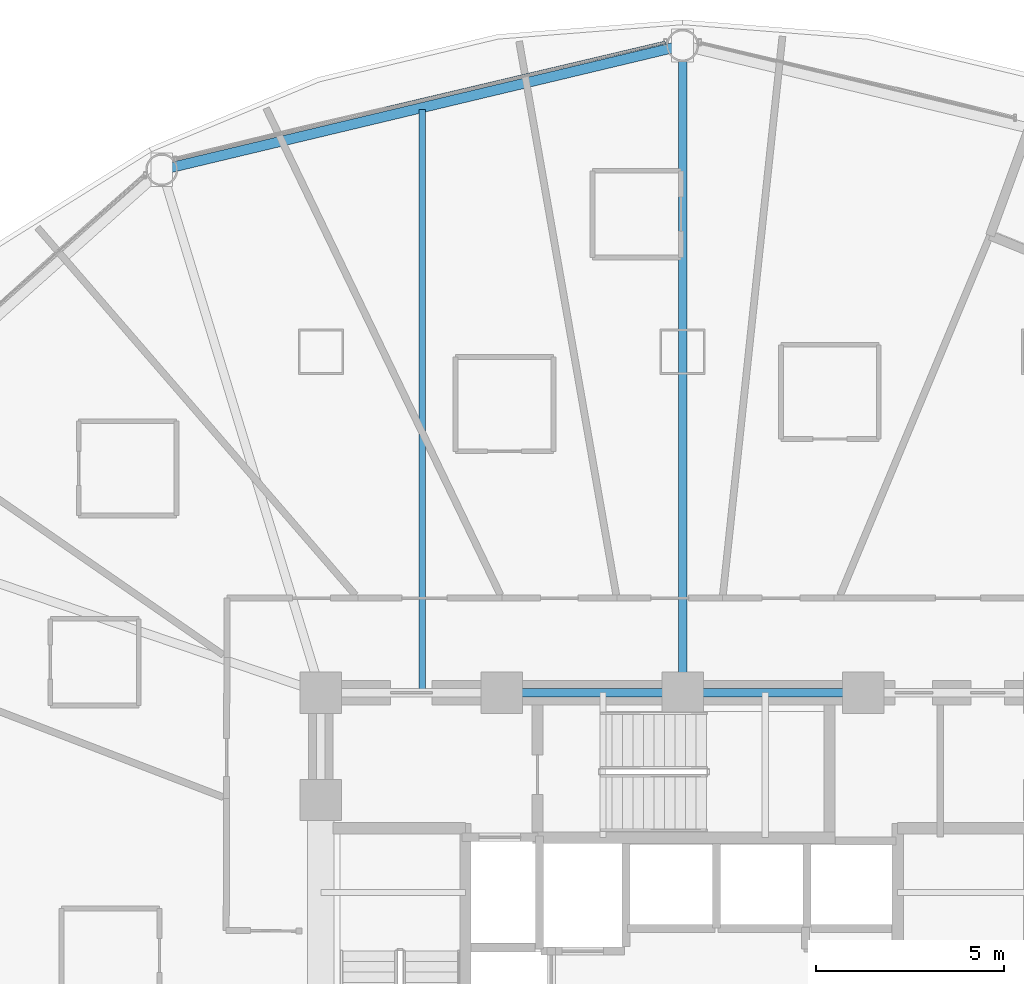
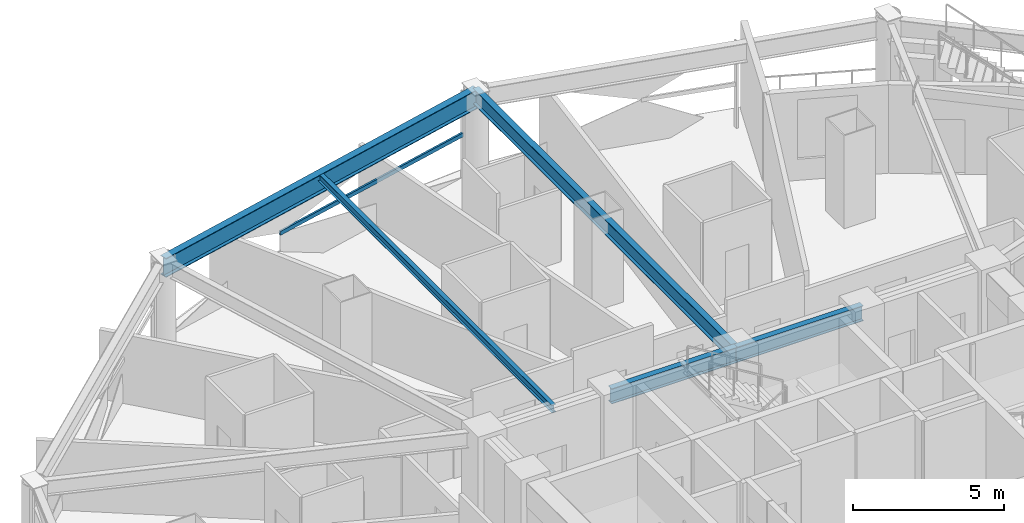
# One storey, part 16 of 33: 5 beams, 1 member, 1 element without a shape of its own.
"""IFC4 building model written with IfcOpenShell, lengths in metres."""

import ifcopenshell
import ifcopenshell.guid

model = None  # the IFC model being written
_history = None  # IfcOwnerHistory: only IFC2X3 demands one
_inside = {}  # id of a spatial element -> (the spatial element, [elements in it])
_under = {}  # id of a project, library or spatial element -> (it, [spatial elements below it])
_declared = {}  # id of a project -> (the project, [libraries it declares])
_typed = {}  # id of a type object -> (the type object, [elements of that type])
_made_of = {}  # id of a material, layer set ... -> (it, [elements and type objects made of it])


def new_model(schema):
    """Start an empty IFC model of exactly this schema.

    Asked for "IFC4X3", IfcOpenShell would pick the latest addendum, in which some entities
    have other attributes; the version numbers below select the first issue.
    IFC2X3 requires an IfcOwnerHistory on every rooted entity: one is made here for all.
    """
    global model, _history
    if schema == "IFC4X3":
        model = ifcopenshell.file(schema_version=(4, 3, 0, 0))
    else:
        model = ifcopenshell.file(schema=schema)
    _inside.clear()
    _under.clear()
    _declared.clear()
    _typed.clear()
    _made_of.clear()
    _history = None
    if model.schema == "IFC2X3":
        org = make("IfcOrganization", Name="unknown")
        user = make(
            "IfcPersonAndOrganization",
            ThePerson=make("IfcPerson", FamilyName="unknown"),
            TheOrganization=org,
        )
        app = make(
            "IfcApplication",
            ApplicationDeveloper=org,
            Version="unknown",
            ApplicationFullName="unknown",
            ApplicationIdentifier="unknown",
        )
        _history = make(
            "IfcOwnerHistory",
            OwningUser=user,
            OwningApplication=app,
            ChangeAction="ADDED",
            CreationDate=0,
        )
    return model


def make(cls, **values):
    """One entity of the class cls with the attributes given. An attribute that is None is left unset."""
    return model.create_entity(
        cls, **{name: value for name, value in values.items() if value is not None}
    )


def rooted(cls, **values):
    """An entity with a GlobalId (a new one), such as an element, a storey or a relation."""
    return make(cls, GlobalId=ifcopenshell.guid.new(), OwnerHistory=_history, **values)


def si_unit(unit_type, name, prefix=None):
    """IfcSIUnit, for example si_unit("LENGTHUNIT", "METRE", prefix="MILLI")."""
    return make("IfcSIUnit", UnitType=unit_type, Prefix=prefix, Name=name)


def assignment(units):
    """IfcUnitAssignment: the units of a project."""
    return None if units is None else make("IfcUnitAssignment", Units=units)


def point(xyz):
    """IfcCartesianPoint."""
    return None if xyz is None else make("IfcCartesianPoint", Coordinates=xyz)


def direction(xyz):
    """IfcDirection."""
    return None if xyz is None else make("IfcDirection", DirectionRatios=xyz)


def frame(location, z_axis=None, x_axis=None):
    """IfcAxis2Placement3D, a coordinate frame: its origin and axes. An axis left out is left unset."""
    return make(
        "IfcAxis2Placement3D",
        Location=point(location),
        Axis=direction(z_axis),
        RefDirection=direction(x_axis),
    )


def frame_2d(location, x_axis=None):
    """IfcAxis2Placement2D, a coordinate frame in the plane: its origin and x axis."""
    return make(
        "IfcAxis2Placement2D", Location=point(location), RefDirection=direction(x_axis)
    )


def origin():
    """The frame at (0, 0, 0) with its axes left unset."""
    return frame((0.0, 0.0, 0.0))


def origin_2d():
    """The frame at (0, 0) in the plane with its x axis left unset."""
    return frame_2d((0.0, 0.0))


def place(relative_to, where):
    """IfcLocalPlacement: puts the frame where relative to a parent placement (None: the world)."""
    return make(
        "IfcLocalPlacement", PlacementRelTo=relative_to, RelativePlacement=where
    )


def context(
    kind, dimensions, precision=None, world=None, true_north=None, identifier=None
):
    """IfcGeometricRepresentationContext, for example the 3D "Model" context."""
    return make(
        "IfcGeometricRepresentationContext",
        ContextIdentifier=identifier,
        ContextType=kind,
        CoordinateSpaceDimension=dimensions,
        Precision=precision,
        WorldCoordinateSystem=world,
        TrueNorth=true_north,
    )


def subcontext(parent, identifier, kind, view, scale=None):
    """IfcGeometricRepresentationSubContext, for example "Body" below "Model"."""
    return make(
        "IfcGeometricRepresentationSubContext",
        ContextIdentifier=identifier,
        ContextType=kind,
        ParentContext=parent,
        TargetScale=scale,
        TargetView=view,
    )


def project(units=None, contexts=None):
    """IfcProject with its units and contexts."""
    return rooted(
        "IfcProject",
        Name="project",
        RepresentationContexts=contexts,
        UnitsInContext=assignment(units),
    )


def spatial(cls, under=None, at=None, **own):
    """A site, building, storey or space (cls), placed at a placement, below another one or the project."""
    s = rooted(cls, ObjectPlacement=at, **own)
    if under is not None:
        _under.setdefault(under.id(), (under, []))[1].append(s)
    return s


def profile(cls, at=None, kind="AREA", **sizes):
    """A parametric profile (cls). Its sizes go by their IFC names, for example OverallWidth=200.0."""
    return make(cls, ProfileType=kind, Position=at, **sizes)


def hollow_rectangle(**sizes):
    """IfcRectangleHollowProfileDef."""
    return profile("IfcRectangleHollowProfileDef", **sizes)


def i_section(**sizes):
    """IfcIShapeProfileDef."""
    return profile("IfcIShapeProfileDef", **sizes)


def extrude(swept, where, along, depth):
    """IfcExtrudedAreaSolid: the profile swept, set in the frame where, extruded along a direction by depth."""
    return make(
        "IfcExtrudedAreaSolid",
        SweptArea=swept,
        Position=where,
        ExtrudedDirection=direction(along),
        Depth=depth,
    )


def shape(context_of_items, identifier, shape_type, items):
    """IfcShapeRepresentation: the items that make up one representation, for example the "Body"."""
    return make(
        "IfcShapeRepresentation",
        ContextOfItems=context_of_items,
        RepresentationIdentifier=identifier,
        RepresentationType=shape_type,
        Items=items,
    )


def material(Name=None, Category=None):
    """IfcMaterial."""
    return make("IfcMaterial", Name=Name, Category=Category)


def layer(
    of_material, thickness, ventilated=None, Name=None, Category=None, Priority=None
):
    """IfcMaterialLayer: one layer of a wall or slab, of a material (None: an air gap)."""
    return make(
        "IfcMaterialLayer",
        Material=of_material,
        LayerThickness=thickness,
        IsVentilated=ventilated,
        Name=Name,
        Category=Category,
        Priority=Priority,
    )


def layer_set(layers, Name=None):
    """IfcMaterialLayerSet."""
    return make("IfcMaterialLayerSet", MaterialLayers=layers, LayerSetName=Name)


def material_profile(
    of_material, cross_section, Name=None, Category=None, Priority=None
):
    """IfcMaterialProfile: a cross section and its material."""
    return make(
        "IfcMaterialProfile",
        Name=Name,
        Material=of_material,
        Profile=cross_section,
        Priority=Priority,
        Category=Category,
    )


def profile_set(profiles, Name=None, composite=None):
    """IfcMaterialProfileSet."""
    return make(
        "IfcMaterialProfileSet",
        Name=Name,
        MaterialProfiles=profiles,
        CompositeProfile=composite,
    )


def made_of(thing, what):
    """Note that an element or type object is made of a material, layer set ...; save() writes the relation."""
    if what is not None:
        _made_of.setdefault(what.id(), (what, []))[1].append(thing)
    return thing


def type_object(cls, material=None, **own):
    """A type object (cls), such as IfcWallType, which elements share."""
    return made_of(rooted(cls, **own), material)


def element(
    cls,
    number,
    at=None,
    inside=None,
    cuts=None,
    type_object=None,
    material=None,
    context=None,
    identifier="Body",
    shape_type=None,
    held_by="IfcProductDefinitionShape",
    body=None,
    shapes=None,
    **own,
):
    """One element of the class cls, such as IfcWall. Its Tag is "e" and its number.

    at: its placement. inside: the storey or other place that contains it. cuts: it is an
    opening in that element (IfcRelVoidsElement). A single representation is given by context,
    identifier, shape_type and body (its items); several are given by shapes. held_by: the class
    of the entity that holds the representations. save() writes the other relations.
    """
    e = rooted(cls, Tag="e%d" % number, ObjectPlacement=at, **own)
    if body is not None:
        shapes = [shape(context, identifier, shape_type, body)]
    if shapes is not None:
        e.Representation = make(held_by, Representations=shapes)
    if inside is not None:
        _inside.setdefault(inside.id(), (inside, []))[1].append(e)
    if cuts is not None:
        rooted(
            "IfcRelVoidsElement", RelatingBuildingElement=cuts, RelatedOpeningElement=e
        )
    if type_object is not None:
        _typed.setdefault(type_object.id(), (type_object, []))[1].append(e)
    return made_of(e, material)


def aggregate(whole, parts):
    """IfcRelAggregates: a whole, such as a stair, and the parts it consists of."""
    return rooted("IfcRelAggregates", RelatingObject=whole, RelatedObjects=parts)


def save(model, path):
    """Write the relations noted so far, then the file.

    IfcRelAggregates (storeys below a building ...), IfcRelContainedInSpatialStructure (elements
    in a storey), IfcRelDefinesByType, IfcRelAssociatesMaterial and IfcRelDeclares: one each for
    every whole, place, type object, material and project.
    """
    for whole, parts in _under.values():
        aggregate(whole, parts)
    for where, things in _inside.values():
        rooted(
            "IfcRelContainedInSpatialStructure",
            RelatedElements=things,
            RelatingStructure=where,
        )
    for kind, things in _typed.values():
        rooted("IfcRelDefinesByType", RelatedObjects=things, RelatingType=kind)
    for what, things in _made_of.values():
        rooted("IfcRelAssociatesMaterial", RelatedObjects=things, RelatingMaterial=what)
    for by, libraries in _declared.values():
        rooted("IfcRelDeclares", RelatingContext=by, RelatedDefinitions=libraries)
    model.write(path)


model = new_model("IFC4")

# Units and contexts
model_context = context("Model", 3, precision=1e-05, world=origin(), true_north=direction((0.0, 1.0)))
body_context = subcontext(model_context, "Body", "Model", "MODEL_VIEW")
ifc_project = project(units=[si_unit("LENGTHUNIT", "METRE"), si_unit("AREAUNIT", "SQUARE_METRE"), si_unit("VOLUMEUNIT", "CUBIC_METRE"), si_unit("PLANEANGLEUNIT", "RADIAN"), si_unit("MASSUNIT", "GRAM", prefix="KILO")], contexts=[model_context])

# Site, building, storey
site_placement = place(None, origin())
site = spatial("IfcSite", under=ifc_project, at=site_placement, CompositionType="ELEMENT")
building_placement = place(site_placement, origin())
building = spatial("IfcBuilding", under=site, at=building_placement, Name="Vantalir Tower", CompositionType="ELEMENT")
storey_placement = place(building_placement, frame((0.0, 0.0, 68.25)))
storey = spatial("IfcBuildingStorey", under=building, at=storey_placement, Name="L16", CompositionType="ELEMENT", Elevation=68.25)

# Beams
ifc_material_1 = material(Name="Steel S355", Category="steel")
ifc_material_profile_1 = material_profile(ifc_material_1, i_section(OverallWidth=0.166015625, OverallDepth=0.306884765625, WebThickness=0.006591796875, FlangeThickness=0.01171875, at=origin_2d()), Name="Steel S355")
ifc_profile_set_1 = profile_set([ifc_material_profile_1], Name="Steel S355")
beam_type_1 = type_object("IfcBeamType", Name="BM-JS-305x165", PredefinedType="JOIST", material=ifc_profile_set_1)
beam_1_placement = place(storey_placement, frame((24.587890625, 47.93408203125, 3.416015625), z_axis=(0.0, -1.0, 0.0), x_axis=(1.0, 0.0, 0.0)))
element("IfcBeam", 1, at=beam_1_placement, inside=storey, type_object=beam_type_1, Name="L16 Composite Trim Joist 01", PredefinedType="JOIST", context=body_context, shape_type="SweptSolid", body=[
    extrude(i_section(OverallWidth=0.166015625, OverallDepth=0.306884765625, WebThickness=0.006591796875, FlangeThickness=0.01171875, at=origin_2d()), origin(), (0.0, 0.0, 1.0), 15.43896484375),
])
ifc_material_profile_2 = material_profile(ifc_material_1, i_section(OverallWidth=0.22998046875, OverallDepth=0.616943359375, WebThickness=0.01318359375, FlangeThickness=0.022216796875, at=origin_2d()), Name="Steel S355")
ifc_profile_set_2 = profile_set([ifc_material_profile_2], Name="Steel S355")
beam_type_2 = type_object("IfcBeamType", Name="BM-RB-610x229", PredefinedType="BEAM", material=ifc_profile_set_2)
for number, where, z_axis, x_axis, name in (
    (2, (36.300048828125, 32.449951171875, 3.261962890625), (-1.0, 0.0, 0.0), (0.0, -1.0, 0.0), "L16 Core Coupling Girder 09"),
    (3, (31.5, 32.449951171875, 3.261962890625), (-1.0, 0.0, 0.0), (0.0, -1.0, 0.0), "L16 Core Coupling Girder 10"),
):
    element("IfcBeam", number, at=place(storey_placement, frame(where, z_axis=z_axis, x_axis=x_axis)), inside=storey, type_object=beam_type_2, Name=name, PredefinedType="BEAM", context=body_context, shape_type="SweptSolid", body=[
        extrude(i_section(OverallWidth=0.22998046875, OverallDepth=0.616943359375, WebThickness=0.01318359375, FlangeThickness=0.022216796875, at=origin_2d()), origin(), (0.0, 0.0, 1.0), 4.800048828125),
    ])
beam_2_placement = place(storey_placement, frame((31.5, 49.62890625, 3.261962890625), z_axis=(0.0, -1.0, 0.0), x_axis=(1.0, 0.0, 0.0)))
element("IfcBeam", 4, at=beam_2_placement, inside=storey, type_object=beam_type_2, Name="L16 Radial Floor Beam 04", PredefinedType="BEAM", context=body_context, shape_type="SweptSolid", body=[
    extrude(i_section(OverallWidth=0.22998046875, OverallDepth=0.616943359375, WebThickness=0.01318359375, FlangeThickness=0.022216796875, at=origin_2d()), origin(), (0.0, 0.0, 1.0), 17.178955078125),
])
ifc_material_2 = material(Name="Steel S460", Category="steel")
ifc_material_profile_3 = material_profile(ifc_material_2, i_section(OverallWidth=0.26806640625, OverallDepth=0.77001953125, WebThickness=0.015625, FlangeThickness=0.025390625, at=origin_2d()), Name="Steel S460")
ifc_profile_set_3 = profile_set([ifc_material_profile_3], Name="Steel S460")
beam_type_3 = type_object("IfcBeamType", Name="BM-RG-762x267", PredefinedType="USERDEFINED", material=ifc_profile_set_3)
beam_3_placement = place(storey_placement, frame((31.5, 49.62890625, 3.18505859375), z_axis=(-0.972676867925, -0.232163112064, 0.0), x_axis=(0.232163112064, -0.972676867925, 0.0)))
element("IfcBeam", 5, at=beam_3_placement, inside=storey, type_object=beam_type_3, Name="L16 Circumferential Ring Girder 04", ObjectType="GIRDER", PredefinedType="USERDEFINED", context=body_context, shape_type="SweptSolid", body=[
    extrude(i_section(OverallWidth=0.26806640625, OverallDepth=0.77001953125, WebThickness=0.015625, FlangeThickness=0.025390625, at=origin_2d()), origin(), (0.0, 0.0, 1.0), 14.21337890625),
])

# Curtain wall, member
ifc_material_3 = material(Name="Champagne-silver PVDF aluminium and double-silver Low-E glass", Category="aluminium")
ifc_layer = layer(ifc_material_3, 0.18994140625)
ifc_layer_set = layer_set([ifc_layer], Name="Champagne-silver PVDF aluminium and double-silver Low-E glass")
curtain_wall_type = type_object("IfcCurtainWallType", Name="CW-DIAMOND-Z1", PredefinedType="USERDEFINED", material=ifc_layer_set)
curtain_wall_placement = place(storey_placement, origin())
curtain_wall = element("IfcCurtainWall", 6, at=curtain_wall_placement, inside=storey, type_object=curtain_wall_type, Name="L16 Quilted Pyramid-Diamond Curtain Wall S04", ObjectType="UNITISED CURTAIN WALL", PredefinedType="USERDEFINED")
ifc_material_4 = material(Name="Champagne-silver PVDF aluminium 6063-T6", Category="aluminium")
ifc_material_profile_4 = material_profile(ifc_material_4, hollow_rectangle(XDim=0.074951171875, YDim=0.159912109375, WallThickness=0.00390625, at=origin_2d()), Name="Champagne-silver PVDF aluminium 6063-T6")
ifc_profile_set_4 = profile_set([ifc_material_profile_4], Name="Champagne-silver PVDF aluminium 6063-T6")
member_type = type_object("IfcMemberType", Name="CWT-160x75", PredefinedType="USERDEFINED", material=ifc_profile_set_4)
member_placement = place(storey_placement, frame((31.04296875, 49.7099609375, 1.784912109375), z_axis=(-0.973289229496, -0.229582394243, 0.0), x_axis=(0.229582394243, -0.973289229496, 0.0)))
member = element("IfcMember", 7, at=member_placement, type_object=member_type, Name="CW-L16-S04 Pyramid Fold Ridge Transom", ObjectType="TRANSOM", PredefinedType="USERDEFINED", context=body_context, shape_type="SweptSolid", body=[
    extrude(hollow_rectangle(XDim=0.074951171875, YDim=0.159912109375, WallThickness=0.00390625, at=origin_2d()), origin(), (0.0, 0.0, 1.0), 8.29345703125),
])
aggregate(curtain_wall, [member])

save(model, "model.ifc")
